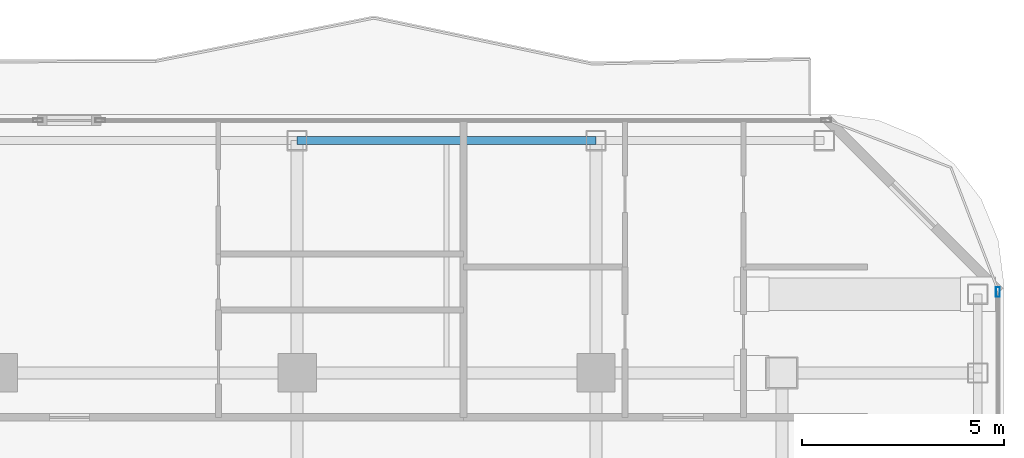
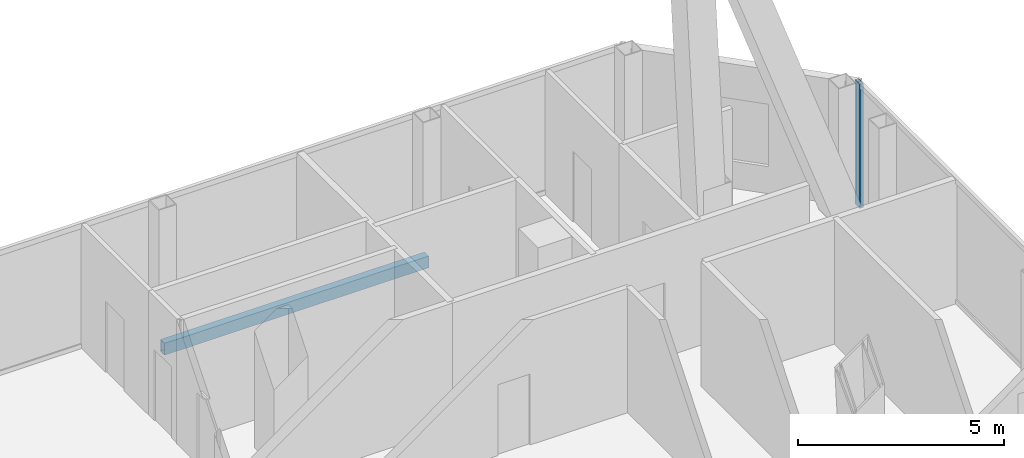
# One storey, part 16 of 27: 1 beam, 1 member, 1 element without a shape of its own.
"""IFC4 building model written with IfcOpenShell, lengths in metres."""

from ifc_helpers import new_model, si_unit, direction, frame, origin, origin_2d, place, context, subcontext, project, spatial, hollow_rectangle, extrude, material, layer, layer_set, material_profile, profile_set, type_object, element, aggregate, save


model = new_model("IFC4")

# Units and contexts
model_context = context("Model", 3, precision=1e-05, world=origin(), true_north=direction((0.0, 1.0)))
body_context = subcontext(model_context, "Body", "Model", "MODEL_VIEW")
ifc_project = project(units=[si_unit("LENGTHUNIT", "METRE"), si_unit("AREAUNIT", "SQUARE_METRE"), si_unit("VOLUMEUNIT", "CUBIC_METRE"), si_unit("PLANEANGLEUNIT", "RADIAN"), si_unit("MASSUNIT", "GRAM", prefix="KILO")], contexts=[model_context])

# Site, building, storey
site_placement = place(None, origin())
site = spatial("IfcSite", under=ifc_project, at=site_placement, CompositionType="ELEMENT")
building_placement = place(site_placement, origin())
building = spatial("IfcBuilding", under=site, at=building_placement, Name="Khorvyn Point Tower", CompositionType="ELEMENT")
storey_placement = place(building_placement, frame((0.0, 0.0, 270.300048828125)))
storey = spatial("IfcBuildingStorey", under=building, at=storey_placement, Name="L66", CompositionType="ELEMENT", Elevation=270.300048828125)

# Curtain wall, member
ifc_material_1 = material(Name="Anodised aluminium 6063-T6 and laminated Low-E glass", Category="aluminium")
ifc_layer = layer(ifc_material_1, 0.18994140625)
ifc_layer_set = layer_set([ifc_layer], Name="Stick-Built High-Wind Curtain Wall CW-SYS-04")
curtain_wall_type = type_object("IfcCurtainWallType", Name="Stick-Built High-Wind Curtain Wall CW-SYS-04", PredefinedType="NOTDEFINED", material=ifc_layer_set)
curtain_wall_placement = place(storey_placement, origin())
curtain_wall = element("IfcCurtainWall", 1, at=curtain_wall_placement, inside=storey, type_object=curtain_wall_type, Name="Curtain Wall", PredefinedType="NOTDEFINED")
ifc_material_2 = material(Name="Anodised aluminium 6063-T6", Category="aluminium")
ifc_material_profile_1 = material_profile(ifc_material_2, hollow_rectangle(XDim=0.10009765625, YDim=0.239990234375, WallThickness=0.0048828125, at=origin_2d()))
ifc_profile_set_1 = profile_set([ifc_material_profile_1], Name="Anodised aluminium 6063-T6 ALU-MUL-100x240")
member_type = type_object("IfcMemberType", Name="Anodised Aluminium 6063-T6 Mullion ALU-MUL-100x240", PredefinedType="MULLION", material=ifc_profile_set_1)
member_placement = place(storey_placement, frame((24.75, 16.800048828125, 0.0), z_axis=(0.0, 0.0, 1.0), x_axis=(1.0, 0.0, 0.0)))
member = element("IfcMember", 2, at=member_placement, type_object=member_type, Name="Transom", PredefinedType="MULLION", context=body_context, shape_type="SweptSolid", body=[
    extrude(hollow_rectangle(XDim=0.10009765625, YDim=0.239990234375, WallThickness=0.0048828125, at=origin_2d()), origin(), (0.0, 0.0, 1.0), 3.679931640625),
])
aggregate(curtain_wall, [member])

# Beam
ifc_material_3 = material(Name="Steel S355", Category="steel")
ifc_material_profile_2 = material_profile(ifc_material_3, hollow_rectangle(XDim=0.199951171875, YDim=0.35009765625, WallThickness=0.013916015625, at=origin_2d()))
ifc_profile_set_2 = profile_set([ifc_material_profile_2], Name="Steel S355 RHS350x200x14")
beam_type = type_object("IfcBeamType", Name="Steel S355 Spandrel RHS350x200x14", PredefinedType="SPANDREL", material=ifc_profile_set_2)
beam_placement = place(storey_placement, frame((7.39990234375, 20.550048828125, -0.39501953125), z_axis=(1.0, 0.0, 0.0), x_axis=(0.0, 1.0, 0.0)))
element("IfcBeam", 3, at=beam_placement, inside=storey, type_object=beam_type, Name="Beam", PredefinedType="SPANDREL", context=body_context, shape_type="SweptSolid", body=[
    extrude(hollow_rectangle(XDim=0.199951171875, YDim=0.35009765625, WallThickness=0.013916015625, at=origin_2d()), origin(), (0.0, 0.0, 1.0), 7.400146484375),
])

save(model, "model.ifc")
